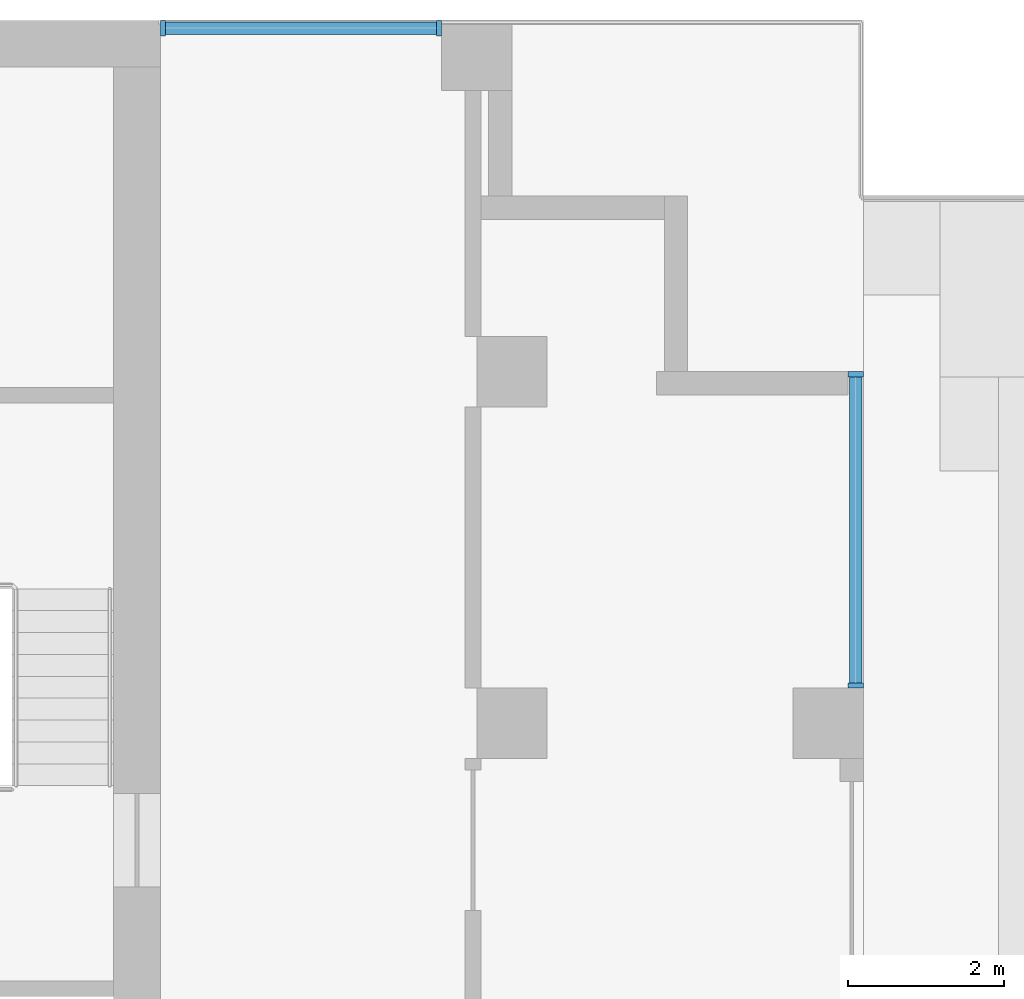
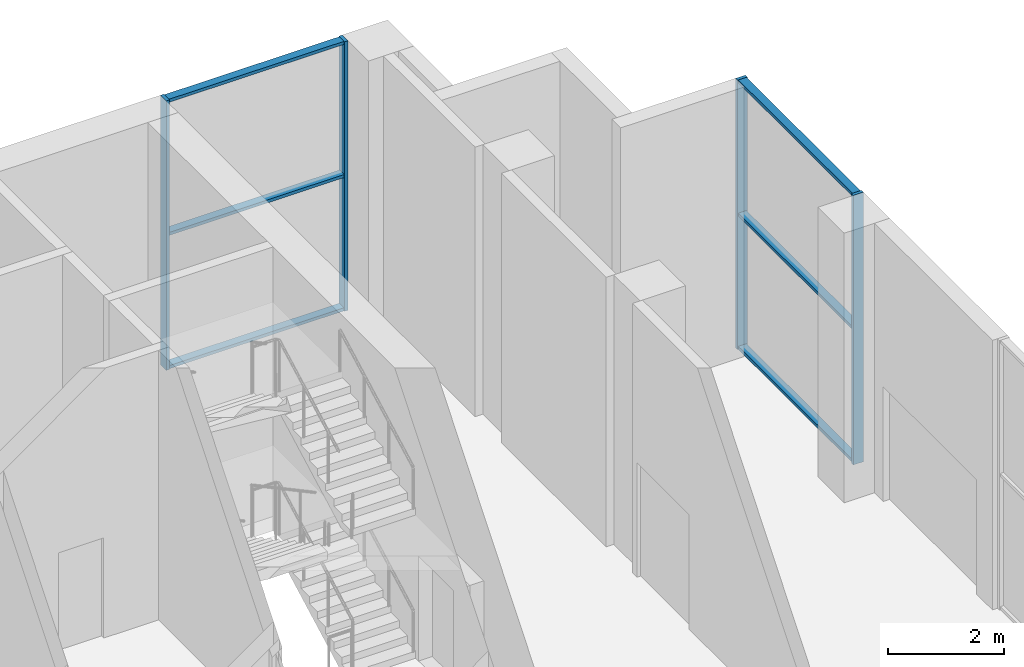
# One storey, part 5 of 13: 10 members, 2 elements without a shape of their own.
"""IFC4 building model written with IfcOpenShell, lengths in metres."""

from ifc_helpers import new_model, si_unit, direction, frame, origin, origin_2d, place, context, subcontext, project, spatial, rectangle, extrude, material, material_profile, profile_set, type_object, element, aggregate, save


model = new_model("IFC4")

# Units and contexts
model_context = context("Model", 3, precision=1e-05, world=origin(), true_north=direction((0.0, 1.0)))
body_context = subcontext(model_context, "Body", "Model", "MODEL_VIEW")
ifc_project = project(units=[si_unit("LENGTHUNIT", "METRE"), si_unit("AREAUNIT", "SQUARE_METRE"), si_unit("VOLUMEUNIT", "CUBIC_METRE"), si_unit("PLANEANGLEUNIT", "RADIAN"), si_unit("MASSUNIT", "GRAM", prefix="KILO")], contexts=[model_context])

# Site, building, storey
site_placement = place(None, origin())
site = spatial("IfcSite", under=ifc_project, at=site_placement, CompositionType="ELEMENT")
building_placement = place(site_placement, origin())
building = spatial("IfcBuilding", under=site, at=building_placement, Name="Orbiselva Terraces", CompositionType="ELEMENT")
storey_placement = place(building_placement, frame((0.0, 0.0, 297.4)))
storey = spatial("IfcBuildingStorey", under=building, at=storey_placement, Name="L74", CompositionType="ELEMENT", Elevation=297.4)

# Curtain wall, members
ifc_material_1 = material(Name="Clear low-e glazing in aluminium frame", Category="aluminium")
curtain_wall_type = type_object("IfcCurtainWallType", Name="ENV-CW-OBS", PredefinedType="NOTDEFINED", material=ifc_material_1)
curtain_wall_1_placement = place(storey_placement, origin())
curtain_wall_1 = element("IfcCurtainWall", 1, at=curtain_wall_1_placement, inside=storey, type_object=curtain_wall_type, Name="Curtain wall L74 E", PredefinedType="NOTDEFINED")
ifc_material_2 = material(Name="Anodised aluminium", Category="aluminium")
ifc_material_profile_1 = material_profile(ifc_material_2, rectangle(XDim=0.2, YDim=0.065, at=origin_2d()), Name="AL 65x200")
ifc_profile_set_1 = profile_set([ifc_material_profile_1], Name="Anodised aluminium")
member_type_1 = type_object("IfcMemberType", Name="ENV-CW-OBS-MULLION-65x200", PredefinedType="MULLION", material=ifc_profile_set_1)
member_1_placement = place(storey_placement, frame((22.4, 13.9825, 0.0), z_axis=(0.0, 0.0, 1.0), x_axis=(-1.0, 0.0, 0.0)))
member_1 = element("IfcMember", 2, at=member_1_placement, type_object=member_type_1, Name="CW5 mullion 1", PredefinedType="MULLION", context=body_context, shape_type="SweptSolid", body=[
    extrude(rectangle(XDim=0.2, YDim=0.065, at=origin_2d()), origin(), (0.0, 0.0, 1.0), 5.65),
])
member_2_placement = place(storey_placement, frame((22.4, 17.9675, 0.0), z_axis=(0.0, 0.0, 1.0), x_axis=(-1.0, 0.0, 0.0)))
member_2 = element("IfcMember", 3, at=member_2_placement, type_object=member_type_1, Name="CW5 mullion 2", PredefinedType="MULLION", context=body_context, shape_type="SweptSolid", body=[
    extrude(rectangle(XDim=0.2, YDim=0.065, at=origin_2d()), origin(), (0.0, 0.0, 1.0), 5.65),
])

curtain_wall_2_placement = place(storey_placement, origin())
curtain_wall_2 = element("IfcCurtainWall", 4, at=curtain_wall_2_placement, inside=storey, type_object=curtain_wall_type, Name="Curtain wall L74 NE", PredefinedType="NOTDEFINED")
member_3_placement = place(storey_placement, frame((17.0675, 22.4, 0.0), z_axis=(0.0, 0.0, 1.0), x_axis=(0.0, -1.0, 0.0)))
member_3 = element("IfcMember", 5, at=member_3_placement, type_object=member_type_1, Name="CW5 mullion 1", PredefinedType="MULLION", context=body_context, shape_type="SweptSolid", body=[
    extrude(rectangle(XDim=0.2, YDim=0.065, at=origin_2d()), origin(), (0.0, 0.0, 1.0), 5.65),
])
member_4_placement = place(storey_placement, frame((13.5325, 22.4, 0.0), z_axis=(0.0, 0.0, 1.0), x_axis=(0.0, -1.0, 0.0)))
member_4 = element("IfcMember", 6, at=member_4_placement, type_object=member_type_1, Name="CW5 mullion 2", PredefinedType="MULLION", context=body_context, shape_type="SweptSolid", body=[
    extrude(rectangle(XDim=0.2, YDim=0.065, at=origin_2d()), origin(), (0.0, 0.0, 1.0), 5.65),
])

# Member
ifc_material_profile_2 = material_profile(ifc_material_2, rectangle(XDim=0.16, YDim=0.065, at=origin_2d()), Name="AL 65x160")
ifc_profile_set_2 = profile_set([ifc_material_profile_2], Name="Anodised aluminium")
member_type_2 = type_object("IfcMemberType", Name="ENV-CW-OBS-TRANSOM-65x160", PredefinedType="USERDEFINED", material=ifc_profile_set_2)
member_5_placement = place(storey_placement, frame((22.4, 14.015, 0.0325), z_axis=(0.0, 1.0, 0.0), x_axis=(-1.0, 0.0, 0.0)))
member_5 = element("IfcMember", 7, at=member_5_placement, type_object=member_type_2, Name="CW5 transom 1.1", ObjectType="TRANSOM", PredefinedType="USERDEFINED", context=body_context, shape_type="SweptSolid", body=[
    extrude(rectangle(XDim=0.16, YDim=0.065, at=origin_2d()), origin(), (0.0, 0.0, 1.0), 3.92),
])

member_6_placement = place(storey_placement, frame((22.4, 14.015, 2.825), z_axis=(0.0, 1.0, 0.0), x_axis=(-1.0, 0.0, 0.0)))
member_6 = element("IfcMember", 8, at=member_6_placement, type_object=member_type_2, Name="CW5 transom 1.2", ObjectType="TRANSOM", PredefinedType="USERDEFINED", context=body_context, shape_type="SweptSolid", body=[
    extrude(rectangle(XDim=0.16, YDim=0.065, at=origin_2d()), origin(), (0.0, 0.0, 1.0), 3.92),
])

member_7_placement = place(storey_placement, frame((22.4, 14.015, 5.6175), z_axis=(0.0, 1.0, 0.0), x_axis=(-1.0, 0.0, 0.0)))
member_7 = element("IfcMember", 9, at=member_7_placement, type_object=member_type_2, Name="CW5 transom 1.3", ObjectType="TRANSOM", PredefinedType="USERDEFINED", context=body_context, shape_type="SweptSolid", body=[
    extrude(rectangle(XDim=0.16, YDim=0.065, at=origin_2d()), origin(), (0.0, 0.0, 1.0), 3.92),
])

aggregate(curtain_wall_1, [member_1, member_2, member_5, member_6, member_7])

member_8_placement = place(storey_placement, frame((17.035, 22.4, 0.0325), z_axis=(-1.0, 0.0, 0.0), x_axis=(0.0, -1.0, 0.0)))
member_8 = element("IfcMember", 10, at=member_8_placement, type_object=member_type_2, Name="CW5 transom 1.1", ObjectType="TRANSOM", PredefinedType="USERDEFINED", context=body_context, shape_type="SweptSolid", body=[
    extrude(rectangle(XDim=0.16, YDim=0.065, at=origin_2d()), origin(), (0.0, 0.0, 1.0), 3.47),
])

member_9_placement = place(storey_placement, frame((17.035, 22.4, 2.825), z_axis=(-1.0, 0.0, 0.0), x_axis=(0.0, -1.0, 0.0)))
member_9 = element("IfcMember", 11, at=member_9_placement, type_object=member_type_2, Name="CW5 transom 1.2", ObjectType="TRANSOM", PredefinedType="USERDEFINED", context=body_context, shape_type="SweptSolid", body=[
    extrude(rectangle(XDim=0.16, YDim=0.065, at=origin_2d()), origin(), (0.0, 0.0, 1.0), 3.47),
])

member_10_placement = place(storey_placement, frame((17.035, 22.4, 5.6175), z_axis=(-1.0, 0.0, 0.0), x_axis=(0.0, -1.0, 0.0)))
member_10 = element("IfcMember", 12, at=member_10_placement, type_object=member_type_2, Name="CW5 transom 1.3", ObjectType="TRANSOM", PredefinedType="USERDEFINED", context=body_context, shape_type="SweptSolid", body=[
    extrude(rectangle(XDim=0.16, YDim=0.065, at=origin_2d()), origin(), (0.0, 0.0, 1.0), 3.47),
])

aggregate(curtain_wall_2, [member_3, member_4, member_8, member_9, member_10])

save(model, "model.ifc")
